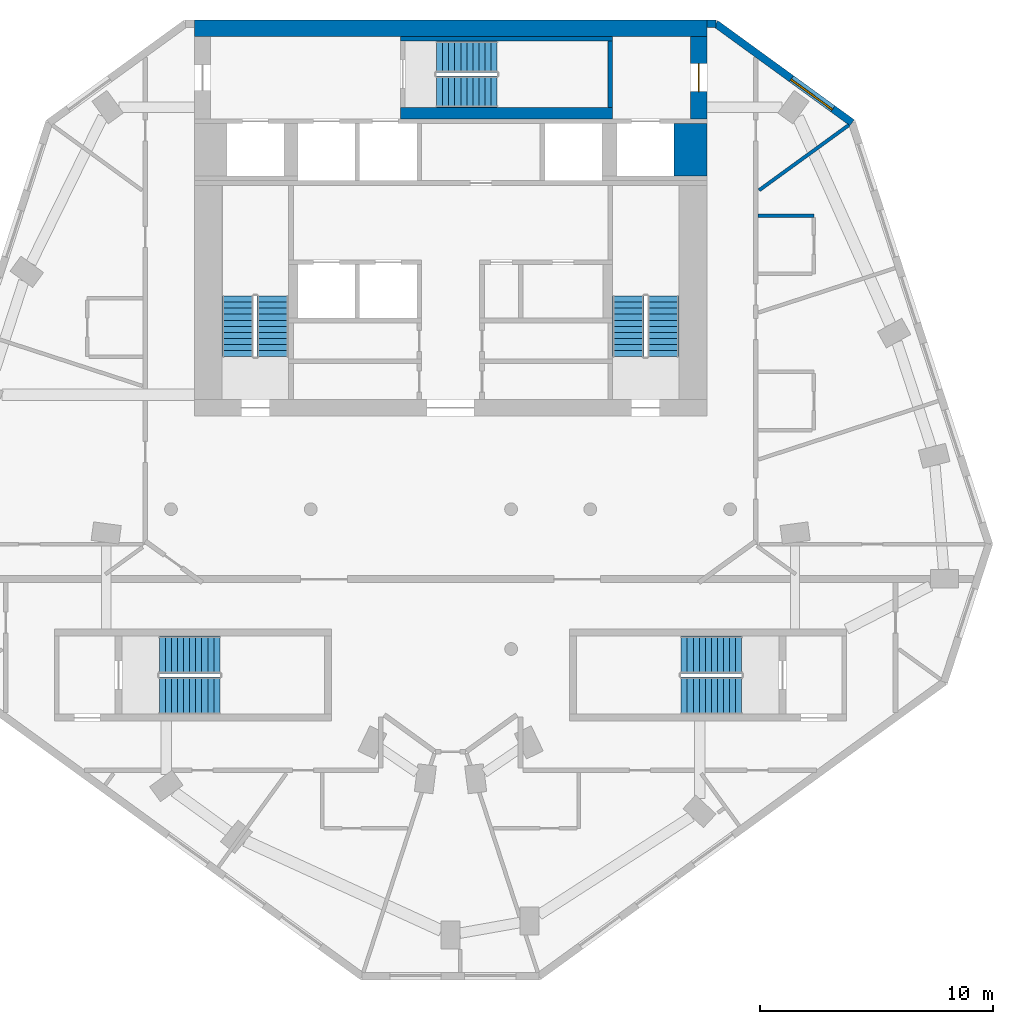
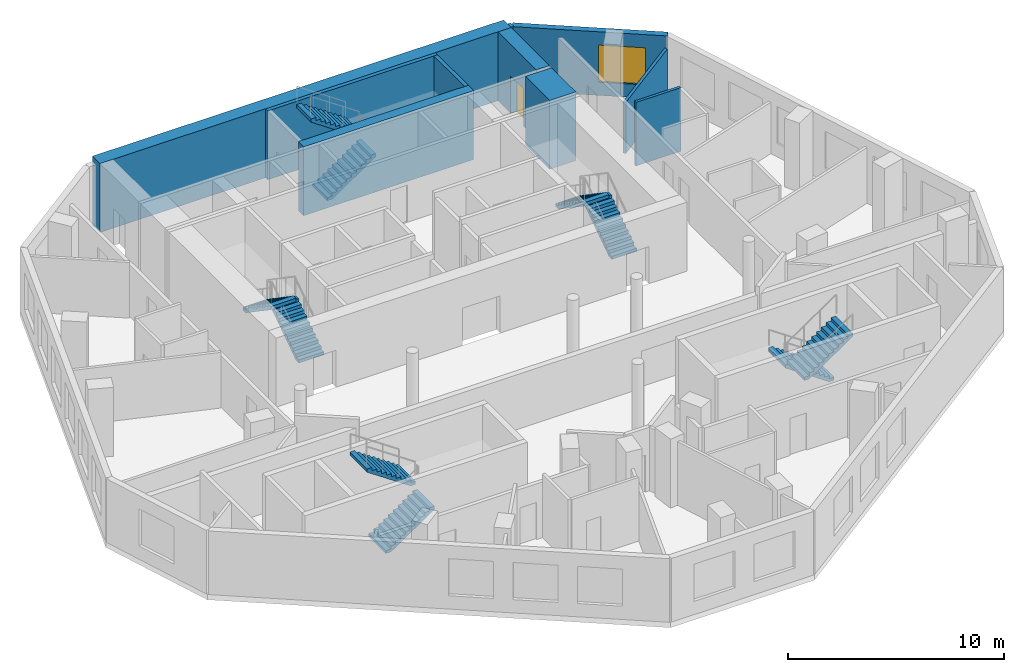
# One storey, part 6 of 8: 10 stair flights, 10 walls, 1 door, 1 window, 2 openings, 5 elements without a shape of their own.
"""IFC4 building model written with IfcOpenShell, lengths in metres."""

from ifc_helpers import new_model, si_unit, direction, frame, frame_2d, origin, place, context, subcontext, project, spatial, polyline, rectangle, outline, extrude, material, layer, layer_set, type_object, element, fill, aggregate, save


model = new_model("IFC4")

# Units and contexts
model_context = context("Model", 3, precision=1e-05, world=origin(), true_north=direction((0.0, 1.0)))
body_context = subcontext(model_context, "Body", "Model", "MODEL_VIEW")
ifc_project = project(units=[si_unit("LENGTHUNIT", "METRE"), si_unit("AREAUNIT", "SQUARE_METRE"), si_unit("VOLUMEUNIT", "CUBIC_METRE"), si_unit("PLANEANGLEUNIT", "RADIAN"), si_unit("MASSUNIT", "GRAM", prefix="KILO")], contexts=[model_context])

# Site, building, storey
site_placement = place(None, origin())
site = spatial("IfcSite", under=ifc_project, at=site_placement, CompositionType="ELEMENT")
building_placement = place(site_placement, origin())
building = spatial("IfcBuilding", under=site, at=building_placement, Name="White Candle Pilgrim Tower", CompositionType="ELEMENT")
storey_placement = place(building_placement, frame((0.0, 0.0, 275.60009765625)))
storey = spatial("IfcBuildingStorey", under=building, at=storey_placement, Name="L65", CompositionType="ELEMENT", Elevation=275.60009765625)

# Wall
ifc_material_1 = material(Name="Concrete C50/60", Category="concrete")
ifc_layer_1 = layer(ifc_material_1, 1.39990234375)
ifc_layer_set_1 = layer_set([ifc_layer_1], Name="Core wall 1400 mm Concrete C50/60")
wall_type_1 = type_object("IfcWallType", Name="Core wall 1400 mm Concrete C50/60", PredefinedType="SHEAR", material=ifc_layer_set_1)
wall_1_placement = place(storey_placement, frame((80.300048828125, 81.300048828125, 0.0), z_axis=(0.0, 0.0, 1.0), x_axis=(0.0, 1.0, 0.0)))
element("IfcWall", 1, at=wall_1_placement, inside=storey, type_object=wall_type_1, Name="WL-L65-C45", PredefinedType="SHEAR", context=body_context, shape_type="SweptSolid", body=[
    extrude(rectangle(XDim=2.25, YDim=1.39990234375, at=frame_2d((1.125, 0.0))), origin(), (0.0, 0.0, 1.0), 3.89990234375),
])

# Wall, opening, door
ifc_layer_2 = layer(ifc_material_1, 0.699951171875)
ifc_layer_set_2 = layer_set([ifc_layer_2], Name="Core wall 700 mm Concrete C50/60")
wall_type_2 = type_object("IfcWallType", Name="Core wall 700 mm Concrete C50/60", PredefinedType="SHEAR", material=ifc_layer_set_2)
wall_2_placement = place(storey_placement, frame((80.64990234375, 83.75, 0.0), z_axis=(0.0, 0.0, 1.0), x_axis=(0.0, 1.0, 0.0)))
wall_2 = element("IfcWall", 2, at=wall_2_placement, inside=storey, type_object=wall_type_2, Name="WL-L65-C49", PredefinedType="SHEAR", context=body_context, shape_type="SweptSolid", body=[
    extrude(rectangle(XDim=3.550048828125, YDim=0.699951171875, at=frame_2d((1.77490234375, 0.0))), origin(), (0.0, 0.0, 1.0), 3.89990234375),
])
opening_1_placement = place(wall_2_placement, frame((1.175048828125, 0.0, 0.0)))
opening_1 = element("IfcOpeningElement", 3, at=opening_1_placement, cuts=wall_2, Name="Opening T20-010", PredefinedType="OPENING", context=body_context, shape_type="SweptSolid", body=[
    extrude(rectangle(XDim=1.199951171875, YDim=2.10009765625, at=frame_2d((0.60009765625, 1.050048828125))), frame((0.0, 0.35986328125, 0.0), z_axis=(0.0, -1.0, 0.0), x_axis=(1.0, 0.0, 0.0)), (0.0, 0.0, 1.0), 0.719970703125),
])
ifc_material_2 = material(Name="Steel door leaf", Category="steel")
door_type = type_object("IfcDoorType", Name="Fire door 1200 x 2100 EI 30", OperationType="NOTDEFINED", PredefinedType="DOOR", material=ifc_material_2)
door_placement = place(opening_1_placement, origin())
door = element("IfcDoor", 4, at=door_placement, inside=storey, type_object=door_type, Name="Door T20-010", OperationType="SINGLE_SWING_RIGHT", OverallHeight=2.10009765625, OverallWidth=1.199951171875, PredefinedType="DOOR", context=body_context, shape_type="SweptSolid", body=[
    extrude(rectangle(XDim=1.199951171875, YDim=2.10009765625, at=frame_2d((0.60009765625, 1.050048828125))), frame((0.0, 0.02490234375, 0.0), z_axis=(0.0, -1.0, 0.0), x_axis=(1.0, 0.0, 0.0)), (0.0, 0.0, 1.0), 0.050048828125),
])
fill(opening_1, door)

# Wall
wall_3_placement = place(storey_placement, frame((59.0, 87.64990234375, 0.0), z_axis=(0.0, 0.0, 1.0), x_axis=(1.0, 0.0, 0.0)))
element("IfcWall", 5, at=wall_3_placement, inside=storey, type_object=wall_type_2, Name="WL-L65-C53", PredefinedType="SHEAR", context=body_context, shape_type="SweptSolid", body=[
    extrude(rectangle(XDim=22.0, YDim=0.699951171875, at=frame_2d((11.0, 0.0))), origin(), (0.0, 0.0, 1.0), 3.89990234375),
])

# Wall, opening, window
ifc_material_3 = material(Name="Precast concrete C40/50", Category="concrete")
ifc_layer_3 = layer(ifc_material_3, 0.320068359375)
ifc_layer_set_3 = layer_set([ifc_layer_3], Name="Facade wall EW1 precast concrete C40/50 pier wall with timber-lined reveals")
wall_type_3 = type_object("IfcWallType", Name="Facade wall EW1 precast concrete C40/50 pier wall with timber-lined reveals", PredefinedType="SOLIDWALL", material=ifc_layer_set_3)
wall_4_placement = place(storey_placement, frame((87.234375, 83.590087890625, 0.0), z_axis=(0.0, 0.0, 1.0), x_axis=(-0.809004669464, 0.587802215703, 0.0)))
wall_4 = element("IfcWall", 6, at=wall_4_placement, inside=storey, type_object=wall_type_3, Name="Facade wall L65 NE chamfer", PredefinedType="SOLIDWALL", context=body_context, shape_type="SweptSolid", body=[
    extrude(rectangle(XDim=7.230224609375, YDim=0.320068359375, at=frame_2d((3.615234375, 0.0))), origin(), (0.0, 0.0, 1.0), 3.599853515625),
])
opening_2_placement = place(wall_4_placement, frame((1.01513671875, 0.0, 0.75)))
opening_2 = element("IfcOpeningElement", 7, at=opening_2_placement, cuts=wall_4, Name="Opening W4", PredefinedType="OPENING", context=body_context, shape_type="SweptSolid", body=[
    extrude(rectangle(XDim=2.199951171875, YDim=2.10009765625, at=frame_2d((1.10009765625, 1.050048828125))), frame((0.0, 0.169921875, 0.0), z_axis=(0.0, -1.0, 0.0), x_axis=(1.0, 0.0, 0.0)), (0.0, 0.0, 1.0), 0.340087890625),
])
ifc_material_4 = material(Name="Timber frame with triple glazing", Category="wood")
window_type = type_object("IfcWindowType", Name="Window W4 2200x2100 timber frame triple glazing", PartitioningType="SINGLE_PANEL", PredefinedType="WINDOW", material=ifc_material_4)
window_placement = place(opening_2_placement, origin())
window = element("IfcWindow", 8, at=window_placement, inside=storey, type_object=window_type, Name="Window W4 L65 NE chamfer 1", OverallHeight=2.10009765625, OverallWidth=2.199951171875, PartitioningType="SINGLE_PANEL", PredefinedType="WINDOW", context=body_context, shape_type="SweptSolid", body=[
    extrude(rectangle(XDim=2.199951171875, YDim=2.10009765625, at=frame_2d((1.10009765625, 1.050048828125))), frame((0.0, 0.070068359375, 0.0), z_axis=(0.0, -1.0, 0.0), x_axis=(1.0, 0.0, 0.0)), (0.0, 0.0, 1.0), 0.06005859375),
])
fill(opening_2, window)

# Walls
wall_5_placement = place(storey_placement, frame((81.385009765625, 87.840087890625, 0.0), z_axis=(0.0, 0.0, 1.0), x_axis=(-1.0, 0.0, 0.0)))
element("IfcWall", 9, at=wall_5_placement, inside=storey, type_object=wall_type_3, Name="Facade wall L65 N", PredefinedType="SOLIDWALL", context=body_context, shape_type="SweptSolid", body=[
    extrude(rectangle(XDim=0.385009765625, YDim=0.320068359375, at=frame_2d((0.1923828125, 0.0))), origin(), (0.0, 0.0, 1.0), 3.599853515625),
])
ifc_material_5 = material(Name="Gypsum board on steel studs", Category="steel")
ifc_layer_4 = layer(ifc_material_5, 0.14990234375)
ifc_layer_set_4 = layer_set([ifc_layer_4], Name="Partition 150 mm EI 60")
wall_type_4 = type_object("IfcWallType", Name="Partition 150 mm EI 60", PredefinedType="PARTITIONING", material=ifc_layer_set_4)
wall_6_placement = place(storey_placement, frame((87.098388671875, 83.4912109375, 0.0), z_axis=(0.0, 0.0, 1.0), x_axis=(-0.809015212762, -0.587787704464, 0.0)))
element("IfcWall", 10, at=wall_6_placement, inside=storey, type_object=wall_type_4, Name="WL-L65-P024", PredefinedType="PARTITIONING", context=body_context, shape_type="SweptSolid", body=[
    extrude(rectangle(XDim=4.76416015625, YDim=0.14990234375, at=frame_2d((2.382080078125, 0.0))), origin(), (0.0, 0.0, 1.0), 2.89990234375),
])
wall_7_placement = place(storey_placement, frame((83.199951171875, 79.6044921875, 0.0), z_axis=(0.0, 0.0, 1.0), x_axis=(1.0, 0.0, 0.0)))
element("IfcWall", 11, at=wall_7_placement, inside=storey, type_object=wall_type_4, Name="WL-L65-P041", PredefinedType="PARTITIONING", context=body_context, shape_type="SweptSolid", body=[
    extrude(rectangle(XDim=2.400146484375, YDim=0.14990234375, at=frame_2d((1.2001953125, 0.0))), origin(), (0.0, 0.0, 1.0), 3.599853515625),
])
ifc_layer_5 = layer(ifc_material_1, 0.199951171875)
ifc_layer_set_5 = layer_set([ifc_layer_5], Name="Stair shaft wall 200 mm Concrete C50/60")
wall_type_5 = type_object("IfcWallType", Name="Stair shaft wall 200 mm Concrete C50/60", PredefinedType="SHEAR", material=ifc_layer_set_5)
wall_8_placement = place(storey_placement, frame((76.85009765625, 84.25, 0.0), z_axis=(0.0, 0.0, 1.0), x_axis=(0.0, 1.0, 0.0)))
element("IfcWall", 12, at=wall_8_placement, inside=storey, type_object=wall_type_5, Name="WL-L65-C51", PredefinedType="SHEAR", context=body_context, shape_type="SweptSolid", body=[
    extrude(rectangle(XDim=2.85009765625, YDim=0.199951171875, at=frame_2d((1.425048828125, 0.0))), origin(), (0.0, 0.0, 1.0), 3.89990234375),
])
wall_9_placement = place(storey_placement, frame((67.85009765625, 87.199951171875, 0.0), z_axis=(0.0, 0.0, 1.0), x_axis=(1.0, 0.0, 0.0)))
element("IfcWall", 13, at=wall_9_placement, inside=storey, type_object=wall_type_5, Name="WL-L65-C52", PredefinedType="SHEAR", context=body_context, shape_type="SweptSolid", body=[
    extrude(rectangle(XDim=9.099853515625, YDim=0.199951171875, at=frame_2d((4.5498046875, 0.0))), origin(), (0.0, 0.0, 1.0), 3.89990234375),
])
ifc_layer_6 = layer(ifc_material_1, 0.5)
ifc_layer_set_6 = layer_set([ifc_layer_6], Name="Stair shaft wall 500 mm Concrete C50/60")
wall_type_6 = type_object("IfcWallType", Name="Stair shaft wall 500 mm Concrete C50/60", PredefinedType="SHEAR", material=ifc_layer_set_6)
wall_10_placement = place(storey_placement, frame((67.85009765625, 84.0, 0.0), z_axis=(0.0, 0.0, 1.0), x_axis=(1.0, 0.0, 0.0)))
element("IfcWall", 14, at=wall_10_placement, inside=storey, type_object=wall_type_6, Name="WL-L65-C48", PredefinedType="SHEAR", context=body_context, shape_type="SweptSolid", body=[
    extrude(rectangle(XDim=9.099853515625, YDim=0.5, at=frame_2d((4.5498046875, 0.0))), origin(), (0.0, 0.0, 1.0), 3.89990234375),
])

# Stair, stair flights
ifc_material_6 = material(Name="Concrete C40/50", Category="concrete")
stair_type_1 = type_object("IfcStairType", Name="Exit stair 1 flight width 1350 mm", PredefinedType="HALF_TURN_STAIR", material=ifc_material_6)
stair_1_placement = place(storey_placement, origin())
stair_1 = element("IfcStair", 15, at=stair_1_placement, inside=storey, type_object=stair_type_1, Name="L65 stair 1", PredefinedType="NOTDEFINED")
ifc_layer_7 = layer(ifc_material_6, 0.14990234375)
ifc_layer_set_7 = layer_set([ifc_layer_7], Name="Stair flight Concrete C40/50")
stair_flight_type = type_object("IfcStairFlightType", Name="Stair flight Concrete C40/50", PredefinedType="STRAIGHT", material=ifc_layer_set_7)
stair_flight_1_placement = place(storey_placement, frame((62.375, 73.550048828125, 0.0), z_axis=(0.0, 0.0, 1.0), x_axis=(0.0, 1.0, 0.0)))
stair_flight_1 = element("IfcStairFlight", 16, at=stair_flight_1_placement, type_object=stair_flight_type, Name="ST1 flight 1", NumberOfRisers=11, NumberOfTreads=10, PredefinedType="NOTDEFINED", RiserHeight=0.177272727, TreadLength=0.26, context=body_context, shape_type="SweptSolid", body=[
    extrude(outline(polyline([(0.0, 0.0), (0.0, 0.17724609375), (0.260009765625, 0.17724609375), (0.260009765625, 0.3544921875), (0.52001953125, 0.3544921875), (0.52001953125, 0.53173828125), (0.780029296875, 0.53173828125), (0.780029296875, 0.708984375), (1.0400390625, 0.708984375), (1.0400390625, 0.886474609375), (1.300048828125, 0.886474609375), (1.300048828125, 1.063720703125), (1.56005859375, 1.063720703125), (1.56005859375, 1.240966796875), (1.820068359375, 1.240966796875), (1.820068359375, 1.418212890625), (2.080078125, 1.418212890625), (2.080078125, 1.595458984375), (2.340087890625, 1.595458984375), (2.340087890625, 1.772705078125), (2.60009765625, 1.772705078125), (2.60009765625, 1.949951171875), (2.60009765625, 1.59130859375), (0.26611328125, 0.0), (0.0, 0.0)])), frame((0.0, 0.675048828125, 0.0), z_axis=(0.0, -1.0, 0.0), x_axis=(1.0, 0.0, 0.0)), (0.0, 0.0, 1.0), 1.35009765625),
])
stair_flight_2_placement = place(storey_placement, frame((60.875, 76.14990234375, 1.949951171875), z_axis=(0.0, 0.0, 1.0), x_axis=(0.0, -1.0, 0.0)))
stair_flight_2 = element("IfcStairFlight", 17, at=stair_flight_2_placement, type_object=stair_flight_type, Name="ST1 flight 2", NumberOfRisers=11, NumberOfTreads=10, PredefinedType="NOTDEFINED", RiserHeight=0.177272727, TreadLength=0.26, context=body_context, shape_type="SweptSolid", body=[
    extrude(outline(polyline([(0.0, 0.0), (0.0, 0.17724609375), (0.260009765625, 0.17724609375), (0.260009765625, 0.3544921875), (0.52001953125, 0.3544921875), (0.52001953125, 0.53173828125), (0.780029296875, 0.53173828125), (0.780029296875, 0.708984375), (1.0400390625, 0.708984375), (1.0400390625, 0.886474609375), (1.300048828125, 0.886474609375), (1.300048828125, 1.063720703125), (1.56005859375, 1.063720703125), (1.56005859375, 1.240966796875), (1.820068359375, 1.240966796875), (1.820068359375, 1.418212890625), (2.080078125, 1.418212890625), (2.080078125, 1.595458984375), (2.340087890625, 1.595458984375), (2.340087890625, 1.772705078125), (2.60009765625, 1.772705078125), (2.60009765625, 1.949951171875), (2.60009765625, 1.59130859375), (0.26611328125, 0.0), (0.0, 0.0)])), frame((0.0, 0.675048828125, 0.0), z_axis=(0.0, -1.0, 0.0), x_axis=(1.0, 0.0, 0.0)), (0.0, 0.0, 1.0), 1.35009765625),
])
aggregate(stair_1, [stair_flight_1, stair_flight_2])

stair_type_2 = type_object("IfcStairType", Name="Exit stair 2 flight width 1350 mm", PredefinedType="HALF_TURN_STAIR", material=ifc_material_6)
stair_2_placement = place(storey_placement, origin())
stair_2 = element("IfcStair", 18, at=stair_2_placement, inside=storey, type_object=stair_type_2, Name="L65 stair 2", PredefinedType="NOTDEFINED")
stair_flight_3_placement = place(storey_placement, frame((79.125, 73.550048828125, 0.0), z_axis=(0.0, 0.0, 1.0), x_axis=(0.0, 1.0, 0.0)))
stair_flight_3 = element("IfcStairFlight", 19, at=stair_flight_3_placement, type_object=stair_flight_type, Name="ST2 flight 1", NumberOfRisers=11, NumberOfTreads=10, PredefinedType="NOTDEFINED", RiserHeight=0.177272727, TreadLength=0.26, context=body_context, shape_type="SweptSolid", body=[
    extrude(outline(polyline([(0.0, 0.0), (0.0, 0.17724609375), (0.260009765625, 0.17724609375), (0.260009765625, 0.3544921875), (0.52001953125, 0.3544921875), (0.52001953125, 0.53173828125), (0.780029296875, 0.53173828125), (0.780029296875, 0.708984375), (1.0400390625, 0.708984375), (1.0400390625, 0.886474609375), (1.300048828125, 0.886474609375), (1.300048828125, 1.063720703125), (1.56005859375, 1.063720703125), (1.56005859375, 1.240966796875), (1.820068359375, 1.240966796875), (1.820068359375, 1.418212890625), (2.080078125, 1.418212890625), (2.080078125, 1.595458984375), (2.340087890625, 1.595458984375), (2.340087890625, 1.772705078125), (2.60009765625, 1.772705078125), (2.60009765625, 1.949951171875), (2.60009765625, 1.59130859375), (0.26611328125, 0.0), (0.0, 0.0)])), frame((0.0, 0.675048828125, 0.0), z_axis=(0.0, -1.0, 0.0), x_axis=(1.0, 0.0, 0.0)), (0.0, 0.0, 1.0), 1.35009765625),
])
stair_flight_4_placement = place(storey_placement, frame((77.625, 76.14990234375, 1.949951171875), z_axis=(0.0, 0.0, 1.0), x_axis=(0.0, -1.0, 0.0)))
stair_flight_4 = element("IfcStairFlight", 20, at=stair_flight_4_placement, type_object=stair_flight_type, Name="ST2 flight 2", NumberOfRisers=11, NumberOfTreads=10, PredefinedType="NOTDEFINED", RiserHeight=0.177272727, TreadLength=0.26, context=body_context, shape_type="SweptSolid", body=[
    extrude(outline(polyline([(0.0, 0.0), (0.0, 0.17724609375), (0.260009765625, 0.17724609375), (0.260009765625, 0.3544921875), (0.52001953125, 0.3544921875), (0.52001953125, 0.53173828125), (0.780029296875, 0.53173828125), (0.780029296875, 0.708984375), (1.0400390625, 0.708984375), (1.0400390625, 0.886474609375), (1.300048828125, 0.886474609375), (1.300048828125, 1.063720703125), (1.56005859375, 1.063720703125), (1.56005859375, 1.240966796875), (1.820068359375, 1.240966796875), (1.820068359375, 1.418212890625), (2.080078125, 1.418212890625), (2.080078125, 1.595458984375), (2.340087890625, 1.595458984375), (2.340087890625, 1.772705078125), (2.60009765625, 1.772705078125), (2.60009765625, 1.949951171875), (2.60009765625, 1.59130859375), (0.26611328125, 0.0), (0.0, 0.0)])), frame((0.0, 0.675048828125, 0.0), z_axis=(0.0, -1.0, 0.0), x_axis=(1.0, 0.0, 0.0)), (0.0, 0.0, 1.0), 1.35009765625),
])
aggregate(stair_2, [stair_flight_3, stair_flight_4])

stair_type_3 = type_object("IfcStairType", Name="Exit stair 3 flight width 1350 mm", PredefinedType="HALF_TURN_STAIR", material=ifc_material_6)
stair_3_placement = place(storey_placement, origin())
stair_3 = element("IfcStair", 21, at=stair_3_placement, inside=storey, type_object=stair_type_3, Name="L65 stair 3", PredefinedType="NOTDEFINED")
stair_flight_5_placement = place(storey_placement, frame((69.39990234375, 84.925048828125, 0.0), z_axis=(0.0, 0.0, 1.0), x_axis=(1.0, 0.0, 0.0)))
stair_flight_5 = element("IfcStairFlight", 22, at=stair_flight_5_placement, type_object=stair_flight_type, Name="ST3 flight 1", NumberOfRisers=11, NumberOfTreads=10, PredefinedType="NOTDEFINED", RiserHeight=0.177272727, TreadLength=0.26, context=body_context, shape_type="SweptSolid", body=[
    extrude(outline(polyline([(0.0, 0.0), (0.0, 0.17724609375), (0.260009765625, 0.17724609375), (0.260009765625, 0.3544921875), (0.52001953125, 0.3544921875), (0.52001953125, 0.53173828125), (0.780029296875, 0.53173828125), (0.780029296875, 0.708984375), (1.0400390625, 0.708984375), (1.0400390625, 0.886474609375), (1.300048828125, 0.886474609375), (1.300048828125, 1.063720703125), (1.56005859375, 1.063720703125), (1.56005859375, 1.240966796875), (1.820068359375, 1.240966796875), (1.820068359375, 1.418212890625), (2.080078125, 1.418212890625), (2.080078125, 1.595458984375), (2.340087890625, 1.595458984375), (2.340087890625, 1.772705078125), (2.60009765625, 1.772705078125), (2.60009765625, 1.949951171875), (2.60009765625, 1.59130859375), (0.26611328125, 0.0), (0.0, 0.0)])), frame((0.0, 0.675048828125, 0.0), z_axis=(0.0, -1.0, 0.0), x_axis=(1.0, 0.0, 0.0)), (0.0, 0.0, 1.0), 1.35009765625),
])
stair_flight_6_placement = place(storey_placement, frame((72.0, 86.425048828125, 1.949951171875), z_axis=(0.0, 0.0, 1.0), x_axis=(-1.0, 0.0, 0.0)))
stair_flight_6 = element("IfcStairFlight", 23, at=stair_flight_6_placement, type_object=stair_flight_type, Name="ST3 flight 2", NumberOfRisers=11, NumberOfTreads=10, PredefinedType="NOTDEFINED", RiserHeight=0.177272727, TreadLength=0.26, context=body_context, shape_type="SweptSolid", body=[
    extrude(outline(polyline([(0.0, 0.0), (0.0, 0.17724609375), (0.260009765625, 0.17724609375), (0.260009765625, 0.3544921875), (0.52001953125, 0.3544921875), (0.52001953125, 0.53173828125), (0.780029296875, 0.53173828125), (0.780029296875, 0.708984375), (1.0400390625, 0.708984375), (1.0400390625, 0.886474609375), (1.300048828125, 0.886474609375), (1.300048828125, 1.063720703125), (1.56005859375, 1.063720703125), (1.56005859375, 1.240966796875), (1.820068359375, 1.240966796875), (1.820068359375, 1.418212890625), (2.080078125, 1.418212890625), (2.080078125, 1.595458984375), (2.340087890625, 1.595458984375), (2.340087890625, 1.772705078125), (2.60009765625, 1.772705078125), (2.60009765625, 1.949951171875), (2.60009765625, 1.59130859375), (0.26611328125, 0.0), (0.0, 0.0)])), frame((0.0, 0.675048828125, 0.0), z_axis=(0.0, -1.0, 0.0), x_axis=(1.0, 0.0, 0.0)), (0.0, 0.0, 1.0), 1.35009765625),
])
aggregate(stair_3, [stair_flight_5, stair_flight_6])

stair_type_4 = type_object("IfcStairType", Name="Exit stair 4 flight width 1600 mm", PredefinedType="HALF_TURN_STAIR", material=ifc_material_6)
stair_4_placement = place(storey_placement, origin())
stair_4 = element("IfcStair", 24, at=stair_4_placement, inside=storey, type_object=stair_type_4, Name="L65 stair 4", PredefinedType="NOTDEFINED")
stair_flight_7_placement = place(storey_placement, frame((82.5, 60.75, 0.0), z_axis=(0.0, 0.0, 1.0), x_axis=(-1.0, 0.0, 0.0)))
stair_flight_7 = element("IfcStairFlight", 25, at=stair_flight_7_placement, type_object=stair_flight_type, Name="ST4 flight 1", NumberOfRisers=11, NumberOfTreads=10, PredefinedType="NOTDEFINED", RiserHeight=0.177272727, TreadLength=0.26, context=body_context, shape_type="SweptSolid", body=[
    extrude(outline(polyline([(0.0, 0.0), (0.0, 0.17724609375), (0.260009765625, 0.17724609375), (0.260009765625, 0.3544921875), (0.52001953125, 0.3544921875), (0.52001953125, 0.53173828125), (0.780029296875, 0.53173828125), (0.780029296875, 0.708984375), (1.0400390625, 0.708984375), (1.0400390625, 0.886474609375), (1.300048828125, 0.886474609375), (1.300048828125, 1.063720703125), (1.56005859375, 1.063720703125), (1.56005859375, 1.240966796875), (1.820068359375, 1.240966796875), (1.820068359375, 1.418212890625), (2.080078125, 1.418212890625), (2.080078125, 1.595458984375), (2.340087890625, 1.595458984375), (2.340087890625, 1.772705078125), (2.60009765625, 1.772705078125), (2.60009765625, 1.949951171875), (2.60009765625, 1.59130859375), (0.26611328125, 0.0), (0.0, 0.0)])), frame((0.0, 0.800048828125, 0.0), z_axis=(0.0, -1.0, 0.0), x_axis=(1.0, 0.0, 0.0)), (0.0, 0.0, 1.0), 1.60009765625),
])
stair_flight_8_placement = place(storey_placement, frame((79.89990234375, 59.0, 1.949951171875), z_axis=(0.0, 0.0, 1.0), x_axis=(1.0, 0.0, 0.0)))
stair_flight_8 = element("IfcStairFlight", 26, at=stair_flight_8_placement, type_object=stair_flight_type, Name="ST4 flight 2", NumberOfRisers=11, NumberOfTreads=10, PredefinedType="NOTDEFINED", RiserHeight=0.177272727, TreadLength=0.26, context=body_context, shape_type="SweptSolid", body=[
    extrude(outline(polyline([(0.0, 0.0), (0.0, 0.17724609375), (0.260009765625, 0.17724609375), (0.260009765625, 0.3544921875), (0.52001953125, 0.3544921875), (0.52001953125, 0.53173828125), (0.780029296875, 0.53173828125), (0.780029296875, 0.708984375), (1.0400390625, 0.708984375), (1.0400390625, 0.886474609375), (1.300048828125, 0.886474609375), (1.300048828125, 1.063720703125), (1.56005859375, 1.063720703125), (1.56005859375, 1.240966796875), (1.820068359375, 1.240966796875), (1.820068359375, 1.418212890625), (2.080078125, 1.418212890625), (2.080078125, 1.595458984375), (2.340087890625, 1.595458984375), (2.340087890625, 1.772705078125), (2.60009765625, 1.772705078125), (2.60009765625, 1.949951171875), (2.60009765625, 1.59130859375), (0.26611328125, 0.0), (0.0, 0.0)])), frame((0.0, 0.800048828125, 0.0), z_axis=(0.0, -1.0, 0.0), x_axis=(1.0, 0.0, 0.0)), (0.0, 0.0, 1.0), 1.60009765625),
])
aggregate(stair_4, [stair_flight_7, stair_flight_8])

stair_type_5 = type_object("IfcStairType", Name="Exit stair 5 flight width 1600 mm", PredefinedType="HALF_TURN_STAIR", material=ifc_material_6)
stair_5_placement = place(storey_placement, origin())
stair_5 = element("IfcStair", 27, at=stair_5_placement, inside=storey, type_object=stair_type_5, Name="L65 stair 5", PredefinedType="NOTDEFINED")
stair_flight_9_placement = place(storey_placement, frame((57.5, 59.0, 0.0), z_axis=(0.0, 0.0, 1.0), x_axis=(1.0, 0.0, 0.0)))
stair_flight_9 = element("IfcStairFlight", 28, at=stair_flight_9_placement, type_object=stair_flight_type, Name="ST5 flight 1", NumberOfRisers=11, NumberOfTreads=10, PredefinedType="NOTDEFINED", RiserHeight=0.177272727, TreadLength=0.26, context=body_context, shape_type="SweptSolid", body=[
    extrude(outline(polyline([(0.0, 0.0), (0.0, 0.17724609375), (0.260009765625, 0.17724609375), (0.260009765625, 0.3544921875), (0.52001953125, 0.3544921875), (0.52001953125, 0.53173828125), (0.780029296875, 0.53173828125), (0.780029296875, 0.708984375), (1.0400390625, 0.708984375), (1.0400390625, 0.886474609375), (1.300048828125, 0.886474609375), (1.300048828125, 1.063720703125), (1.56005859375, 1.063720703125), (1.56005859375, 1.240966796875), (1.820068359375, 1.240966796875), (1.820068359375, 1.418212890625), (2.080078125, 1.418212890625), (2.080078125, 1.595458984375), (2.340087890625, 1.595458984375), (2.340087890625, 1.772705078125), (2.60009765625, 1.772705078125), (2.60009765625, 1.949951171875), (2.60009765625, 1.59130859375), (0.26611328125, 0.0), (0.0, 0.0)])), frame((0.0, 0.800048828125, 0.0), z_axis=(0.0, -1.0, 0.0), x_axis=(1.0, 0.0, 0.0)), (0.0, 0.0, 1.0), 1.60009765625),
])
stair_flight_10_placement = place(storey_placement, frame((60.10009765625, 60.75, 1.949951171875), z_axis=(0.0, 0.0, 1.0), x_axis=(-1.0, 0.0, 0.0)))
stair_flight_10 = element("IfcStairFlight", 29, at=stair_flight_10_placement, type_object=stair_flight_type, Name="ST5 flight 2", NumberOfRisers=11, NumberOfTreads=10, PredefinedType="NOTDEFINED", RiserHeight=0.177272727, TreadLength=0.26, context=body_context, shape_type="SweptSolid", body=[
    extrude(outline(polyline([(0.0, 0.0), (0.0, 0.17724609375), (0.260009765625, 0.17724609375), (0.260009765625, 0.3544921875), (0.52001953125, 0.3544921875), (0.52001953125, 0.53173828125), (0.780029296875, 0.53173828125), (0.780029296875, 0.708984375), (1.0400390625, 0.708984375), (1.0400390625, 0.886474609375), (1.300048828125, 0.886474609375), (1.300048828125, 1.063720703125), (1.56005859375, 1.063720703125), (1.56005859375, 1.240966796875), (1.820068359375, 1.240966796875), (1.820068359375, 1.418212890625), (2.080078125, 1.418212890625), (2.080078125, 1.595458984375), (2.340087890625, 1.595458984375), (2.340087890625, 1.772705078125), (2.60009765625, 1.772705078125), (2.60009765625, 1.949951171875), (2.60009765625, 1.59130859375), (0.26611328125, 0.0), (0.0, 0.0)])), frame((0.0, 0.800048828125, 0.0), z_axis=(0.0, -1.0, 0.0), x_axis=(1.0, 0.0, 0.0)), (0.0, 0.0, 1.0), 1.60009765625),
])
aggregate(stair_5, [stair_flight_9, stair_flight_10])

save(model, "model.ifc")
